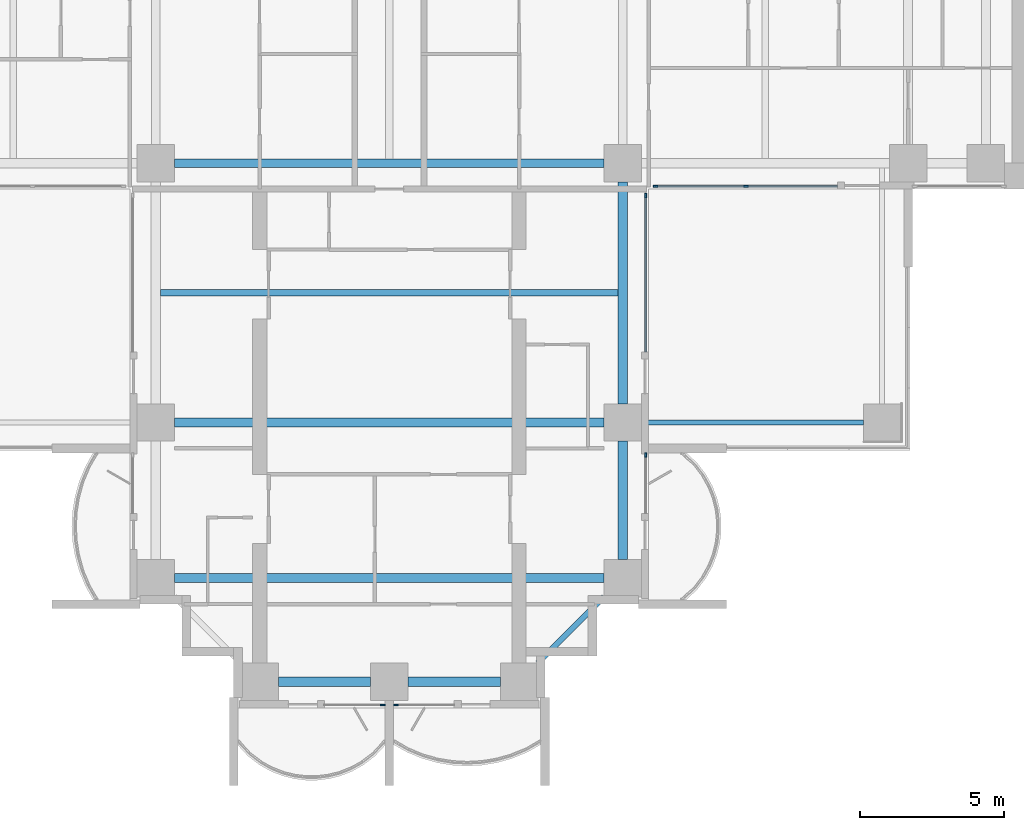
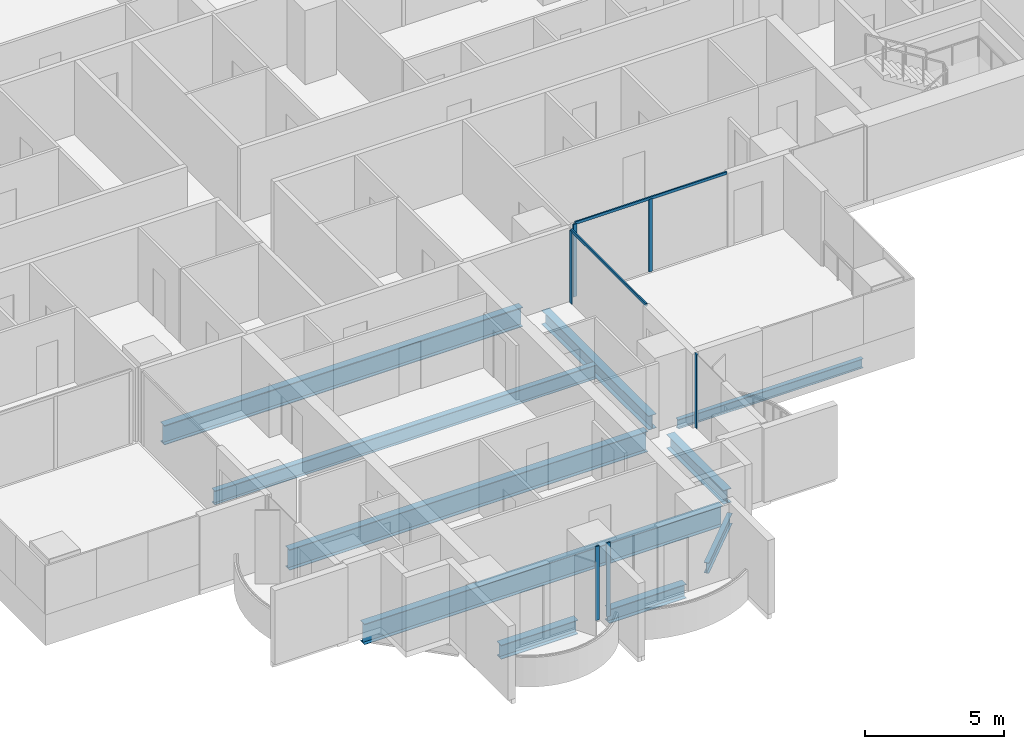
# One storey, part 3 of 21: 10 beams, 8 members, 5 elements without a shape of their own.
"""IFC4 building model written with IfcOpenShell, lengths in metres."""

from ifc_helpers import new_model, si_unit, direction, frame, origin, origin_2d, place, context, subcontext, project, spatial, rectangle, i_section, extrude, material, material_profile, profile_set, type_object, element, aggregate, save


model = new_model("IFC4")

# Units and contexts
model_context = context("Model", 3, precision=1e-05, world=origin(), true_north=direction((0.0, 1.0)))
body_context = subcontext(model_context, "Body", "Model", "MODEL_VIEW")
ifc_project = project(units=[si_unit("LENGTHUNIT", "METRE"), si_unit("AREAUNIT", "SQUARE_METRE"), si_unit("VOLUMEUNIT", "CUBIC_METRE"), si_unit("PLANEANGLEUNIT", "RADIAN"), si_unit("MASSUNIT", "GRAM", prefix="KILO")], contexts=[model_context])

# Site, building, storey
site_placement = place(None, origin())
site = spatial("IfcSite", under=ifc_project, at=site_placement, CompositionType="ELEMENT")
building_placement = place(site_placement, origin())
building = spatial("IfcBuilding", under=site, at=building_placement, Name="Perihelion Cross Residences", CompositionType="ELEMENT")
storey_placement = place(building_placement, frame((0.0, 0.0, 40.0)))
storey = spatial("IfcBuildingStorey", under=building, at=storey_placement, Name="L06", CompositionType="ELEMENT", Elevation=40.0)

# Curtain wall, member
ifc_material_1 = material(Name="Bronze anodised aluminium, tinted glazing", Category="aluminium")
curtain_wall_type = type_object("IfcCurtainWallType", Name="CW1", PredefinedType="NOTDEFINED", material=ifc_material_1)
curtain_wall_1_placement = place(storey_placement, origin())
curtain_wall_1 = element("IfcCurtainWall", 1, at=curtain_wall_1_placement, inside=storey, type_object=curtain_wall_type, Name="Curtain wall CW1 L06 south tip south bay 1", PredefinedType="NOTDEFINED")
ifc_material_2 = material(Name="Bronze anodised aluminium", Category="aluminium")
ifc_material_profile_1 = material_profile(ifc_material_2, rectangle(XDim=0.06005859375, YDim=0.159912109375, at=origin_2d()), Name="CW1 mullion")
ifc_profile_set_1 = profile_set([ifc_material_profile_1], Name="Bronze anodised aluminium")
member_type_1 = type_object("IfcMemberType", Name="CW1 mullion", PredefinedType="MULLION", material=ifc_profile_set_1)
member_1_placement = place(storey_placement, frame((-0.22998046875, -26.89990234375, 0.0), z_axis=(0.0, 0.0, 1.0), x_axis=(0.0, 1.0, 0.0)))
member_1 = element("IfcMember", 2, at=member_1_placement, type_object=member_type_1, Name="CW1 mullion 2", PredefinedType="MULLION", context=body_context, shape_type="SweptSolid", body=[
    extrude(rectangle(XDim=0.06005859375, YDim=0.159912109375, at=origin_2d()), origin(), (0.0, 0.0, 1.0), 3.25),
])
aggregate(curtain_wall_1, [member_1])

curtain_wall_2_placement = place(storey_placement, origin())
curtain_wall_2 = element("IfcCurtainWall", 3, at=curtain_wall_2_placement, inside=storey, type_object=curtain_wall_type, Name="Curtain wall CW1 L06 south tip south bay 2", PredefinedType="NOTDEFINED")
member_2_placement = place(storey_placement, frame((0.22998046875, -26.89990234375, 0.0), z_axis=(0.0, 0.0, 1.0), x_axis=(0.0, 1.0, 0.0)))
member_2 = element("IfcMember", 4, at=member_2_placement, type_object=member_type_1, Name="CW1 mullion 1", PredefinedType="MULLION", context=body_context, shape_type="SweptSolid", body=[
    extrude(rectangle(XDim=0.06005859375, YDim=0.159912109375, at=origin_2d()), origin(), (0.0, 0.0, 1.0), 3.25),
])
aggregate(curtain_wall_2, [member_2])

curtain_wall_3_placement = place(storey_placement, origin())
curtain_wall_3 = element("IfcCurtainWall", 5, at=curtain_wall_3_placement, inside=storey, type_object=curtain_wall_type, Name="Curtain wall CW1 L06 south side east bay 1", PredefinedType="NOTDEFINED")
member_3_placement = place(storey_placement, frame((8.89990234375, -18.22998046875, 0.0), z_axis=(0.0, 0.0, 1.0), x_axis=(-1.0, 0.0, 0.0)))
member_3 = element("IfcMember", 6, at=member_3_placement, type_object=member_type_1, Name="CW1 mullion 2", PredefinedType="MULLION", context=body_context, shape_type="SweptSolid", body=[
    extrude(rectangle(XDim=0.06005859375, YDim=0.159912109375, at=origin_2d()), origin(), (0.0, 0.0, 1.0), 3.25),
])
aggregate(curtain_wall_3, [member_3])

curtain_wall_4_placement = place(storey_placement, origin())
curtain_wall_4 = element("IfcCurtainWall", 7, at=curtain_wall_4_placement, inside=storey, type_object=curtain_wall_type, Name="Curtain wall CW1 L06 south side east bay 2", PredefinedType="NOTDEFINED")
member_4_placement = place(storey_placement, frame((8.89990234375, -9.22998046875, 0.0), z_axis=(0.0, 0.0, 1.0), x_axis=(-1.0, 0.0, 0.0)))
member_4 = element("IfcMember", 8, at=member_4_placement, type_object=member_type_1, Name="CW1 mullion 2", PredefinedType="MULLION", context=body_context, shape_type="SweptSolid", body=[
    extrude(rectangle(XDim=0.06005859375, YDim=0.159912109375, at=origin_2d()), origin(), (0.0, 0.0, 1.0), 3.18994140625),
])

# Curtain wall, members
curtain_wall_5_placement = place(storey_placement, origin())
curtain_wall_5 = element("IfcCurtainWall", 9, at=curtain_wall_5_placement, inside=storey, type_object=curtain_wall_type, Name="Curtain wall CW1 L06 east side south bay 1", PredefinedType="NOTDEFINED")
member_5_placement = place(storey_placement, frame((9.22998046875, -8.89990234375, 0.0), z_axis=(0.0, 0.0, 1.0), x_axis=(0.0, 1.0, 0.0)))
member_5 = element("IfcMember", 10, at=member_5_placement, type_object=member_type_1, Name="CW1 mullion 1", PredefinedType="MULLION", context=body_context, shape_type="SweptSolid", body=[
    extrude(rectangle(XDim=0.06005859375, YDim=0.159912109375, at=origin_2d()), origin(), (0.0, 0.0, 1.0), 3.18994140625),
])
member_6_placement = place(storey_placement, frame((12.375, -8.89990234375, 0.0), z_axis=(0.0, 0.0, 1.0), x_axis=(0.0, 1.0, 0.0)))
member_6 = element("IfcMember", 11, at=member_6_placement, type_object=member_type_1, Name="CW1 mullion 2", PredefinedType="MULLION", context=body_context, shape_type="SweptSolid", body=[
    extrude(rectangle(XDim=0.06005859375, YDim=0.159912109375, at=origin_2d()), origin(), (0.0, 0.0, 1.0), 3.18994140625),
])

# Member
ifc_material_3 = material(Name="Bronze anodised aluminium", Category="aluminium")
ifc_material_profile_2 = material_profile(ifc_material_3, rectangle(XDim=0.06005859375, YDim=0.1201171875, at=origin_2d()), Name="CW1 transom")
ifc_profile_set_2 = profile_set([ifc_material_profile_2], Name="Bronze anodised aluminium")
member_type_2 = type_object("IfcMemberType", Name="CW1 transom", PredefinedType="USERDEFINED", material=ifc_profile_set_2)
member_7_placement = place(storey_placement, frame((8.89990234375, -14.64990234375, 3.219970703125), z_axis=(0.0, 1.0, 0.0), x_axis=(-1.0, 0.0, 0.0)))
member_7 = element("IfcMember", 12, at=member_7_placement, type_object=member_type_2, Name="CW1 head transom", ObjectType="TRANSOM", PredefinedType="USERDEFINED", context=body_context, shape_type="SweptSolid", body=[
    extrude(rectangle(XDim=0.06005859375, YDim=0.1201171875, at=origin_2d()), origin(), (0.0, 0.0, 1.0), 5.419921875),
])

aggregate(curtain_wall_4, [member_4, member_7])

member_8_placement = place(storey_placement, frame((9.22998046875, -8.89990234375, 3.219970703125), z_axis=(1.0, 0.0, 0.0), x_axis=(0.0, 1.0, 0.0)))
member_8 = element("IfcMember", 13, at=member_8_placement, type_object=member_type_2, Name="CW1 head transom", ObjectType="TRANSOM", PredefinedType="USERDEFINED", context=body_context, shape_type="SweptSolid", body=[
    extrude(rectangle(XDim=0.06005859375, YDim=0.1201171875, at=origin_2d()), origin(), (0.0, 0.0, 1.0), 6.320068359375),
])

aggregate(curtain_wall_5, [member_5, member_6, member_8])

# Beams
ifc_material_4 = material(Name="Steel S355", Category="steel")
ifc_material_profile_3 = material_profile(ifc_material_4, i_section(OverallWidth=0.177978515625, OverallDepth=0.406005859375, WebThickness=0.0078125, FlangeThickness=0.0126953125, at=origin_2d()), Name="W410x60")
ifc_profile_set_3 = profile_set([ifc_material_profile_3], Name="Steel S355")
beam_type_1 = type_object("IfcBeamType", Name="Core edge beam W410x60", PredefinedType="BEAM", material=ifc_profile_set_3)
beam_1_placement = place(storey_placement, frame((8.75, -17.10009765625, -0.452880859375), z_axis=(1.0, 0.0, 0.0), x_axis=(0.0, 1.0, 0.0)))
element("IfcBeam", 14, at=beam_1_placement, inside=storey, type_object=beam_type_1, Name="Core edge beam TB2 L06 corner no. 6", PredefinedType="BEAM", context=body_context, shape_type="SweptSolid", body=[
    extrude(i_section(OverallWidth=0.177978515625, OverallDepth=0.406005859375, WebThickness=0.0078125, FlangeThickness=0.0126953125, at=origin_2d()), origin(), (0.0, 0.0, 1.0), 7.699951171875),
])
ifc_material_5 = material(Name="Steel S355", Category="steel")
ifc_material_profile_4 = material_profile(ifc_material_5, i_section(OverallWidth=0.324951171875, OverallDepth=0.616943359375, WebThickness=0.013916015625, FlangeThickness=0.021484375, at=origin_2d()), Name="W610x174")
ifc_profile_set_4 = profile_set([ifc_material_profile_4], Name="Steel S355")
beam_type_2 = type_object("IfcBeamType", Name="Edge beam W610x174", PredefinedType="SPANDREL", material=ifc_profile_set_4)
for number, where, z_axis, x_axis, name in (
    (15, (-3.85009765625, -26.10009765625, -0.55859375), (1.0, 0.0, 0.0), (0.0, 1.0, 0.0), "Edge beam SB2 L06 no. 4"),
    (16, (0.64990234375, -26.10009765625, -0.55859375), (1.0, 0.0, 0.0), (0.0, 1.0, 0.0), "Edge beam SB2 L06 no. 10"),
):
    element("IfcBeam", number, at=place(storey_placement, frame(where, z_axis=z_axis, x_axis=x_axis)), inside=storey, type_object=beam_type_2, Name=name, PredefinedType="SPANDREL", context=body_context, shape_type="SweptSolid", body=[
        extrude(i_section(OverallWidth=0.324951171875, OverallDepth=0.616943359375, WebThickness=0.013916015625, FlangeThickness=0.021484375, at=origin_2d()), origin(), (0.0, 0.0, 1.0), 3.2001953125),
    ])
beam_2_placement = place(storey_placement, frame((8.10009765625, -21.85009765625, -0.55859375), z_axis=(0.0, 1.0, 0.0), x_axis=(-1.0, 0.0, 0.0)))
element("IfcBeam", 17, at=beam_2_placement, inside=storey, type_object=beam_type_2, Name="Edge beam SB2 L06 no. 17", PredefinedType="SPANDREL", context=body_context, shape_type="SweptSolid", body=[
    extrude(i_section(OverallWidth=0.324951171875, OverallDepth=0.616943359375, WebThickness=0.013916015625, FlangeThickness=0.021484375, at=origin_2d()), origin(), (0.0, 0.0, 1.0), 4.10009765625),
])
beam_3_placement = place(storey_placement, frame((8.10009765625, -16.449951171875, -0.55859375), z_axis=(0.0, 1.0, 0.0), x_axis=(-1.0, 0.0, 0.0)))
element("IfcBeam", 18, at=beam_3_placement, inside=storey, type_object=beam_type_2, Name="Edge beam SB2 L06 no. 16", PredefinedType="SPANDREL", context=body_context, shape_type="SweptSolid", body=[
    extrude(i_section(OverallWidth=0.324951171875, OverallDepth=0.616943359375, WebThickness=0.013916015625, FlangeThickness=0.021484375, at=origin_2d()), origin(), (0.0, 0.0, 1.0), 7.699951171875),
])
ifc_material_6 = material(Name="Steel S355", Category="steel")
ifc_material_profile_5 = material_profile(ifc_material_6, i_section(OverallWidth=0.304931640625, OverallDepth=0.904052734375, WebThickness=0.01513671875, FlangeThickness=0.02001953125, at=origin_2d()), Name="W920x201")
ifc_profile_set_5 = profile_set([ifc_material_profile_5], Name="Steel S355")
beam_type_3 = type_object("IfcBeamType", Name="Floor girder W920x201", PredefinedType="BEAM", material=ifc_profile_set_5)
for number, where, z_axis, x_axis, name in (
    (19, (-7.449951171875, -17.10009765625, -0.701904296875), (1.0, 0.0, 0.0), (0.0, 1.0, 0.0), "Girder G2 L06 no. 3"),
    (20, (-7.449951171875, -22.5, -0.701904296875), (1.0, 0.0, 0.0), (0.0, 1.0, 0.0), "Girder G2 L06 no. 4"),
):
    element("IfcBeam", number, at=place(storey_placement, frame(where, z_axis=z_axis, x_axis=x_axis)), inside=storey, type_object=beam_type_3, Name=name, PredefinedType="BEAM", context=body_context, shape_type="SweptSolid", body=[
        extrude(i_section(OverallWidth=0.304931640625, OverallDepth=0.904052734375, WebThickness=0.01513671875, FlangeThickness=0.02001953125, at=origin_2d()), origin(), (0.0, 0.0, 1.0), 14.89990234375),
    ])
ifc_material_7 = material(Name="Steel S355", Category="steel")
ifc_material_profile_6 = material_profile(ifc_material_7, i_section(OverallWidth=0.22900390625, OverallDepth=0.612060546875, WebThickness=0.011962890625, FlangeThickness=0.01953125, at=origin_2d()), Name="W610x125")
ifc_profile_set_6 = profile_set([ifc_material_profile_6], Name="Steel S355")
beam_type_4 = type_object("IfcBeamType", Name="Floor joist W610x125", PredefinedType="JOIST", material=ifc_profile_set_6)
beam_4_placement = place(storey_placement, frame((-7.9375, -12.60009765625, -0.555908203125), z_axis=(1.0, 0.0, 0.0), x_axis=(0.0, 1.0, 0.0)))
element("IfcBeam", 21, at=beam_4_placement, inside=storey, type_object=beam_type_4, Name="Joist J3 L06 no. 3", PredefinedType="JOIST", context=body_context, shape_type="SweptSolid", body=[
    extrude(i_section(OverallWidth=0.22900390625, OverallDepth=0.612060546875, WebThickness=0.011962890625, FlangeThickness=0.01953125, at=origin_2d()), origin(), (0.0, 0.0, 1.0), 15.875),
])
ifc_material_8 = material(Name="Steel S355", Category="steel")
ifc_material_profile_7 = material_profile(ifc_material_8, i_section(OverallWidth=0.2919921875, OverallDepth=0.85888671875, WebThickness=0.01708984375, FlangeThickness=0.031005859375, at=origin_2d()), Name="W840x251")
ifc_profile_set_7 = profile_set([ifc_material_profile_7], Name="Steel S355")
beam_type_5 = type_object("IfcBeamType", Name="Hub ring girder W840x251", PredefinedType="BEAM", material=ifc_profile_set_7)
beam_5_placement = place(storey_placement, frame((-7.449951171875, -8.10009765625, -0.679443359375), z_axis=(1.0, 0.0, 0.0), x_axis=(0.0, 1.0, 0.0)))
element("IfcBeam", 22, at=beam_5_placement, inside=storey, type_object=beam_type_5, Name="Hub ring girder RG2 L06 no. 1", PredefinedType="BEAM", context=body_context, shape_type="SweptSolid", body=[
    extrude(i_section(OverallWidth=0.2919921875, OverallDepth=0.85888671875, WebThickness=0.01708984375, FlangeThickness=0.031005859375, at=origin_2d()), origin(), (0.0, 0.0, 1.0), 14.89990234375),
])
ifc_material_9 = material(Name="Steel S355", Category="steel")
ifc_material_profile_8 = material_profile(ifc_material_9, i_section(OverallWidth=0.194091796875, OverallDepth=0.469970703125, WebThickness=0.0126953125, FlangeThickness=0.0205078125, at=origin_2d()), Name="W460x106")
ifc_profile_set_8 = profile_set([ifc_material_profile_8], Name="Steel S355")
beam_type_6 = type_object("IfcBeamType", Name="Serration edge beam W460x106", PredefinedType="BEAM", material=ifc_profile_set_8)
beam_6_placement = place(storey_placement, frame((5.14990234375, -25.449951171875, -0.485107421875), z_axis=(0.707106781187, 0.707106781187, 0.0), x_axis=(-0.707106781187, 0.707106781187, 0.0)))
element("IfcBeam", 23, at=beam_6_placement, inside=storey, type_object=beam_type_6, Name="Serration edge beam EB2 L06 no. 3", PredefinedType="BEAM", context=body_context, shape_type="SweptSolid", body=[
    extrude(i_section(OverallWidth=0.194091796875, OverallDepth=0.469970703125, WebThickness=0.0126953125, FlangeThickness=0.0205078125, at=origin_2d()), origin(), (0.0, 0.0, 1.0), 3.252685546875),
])

save(model, "model.ifc")
